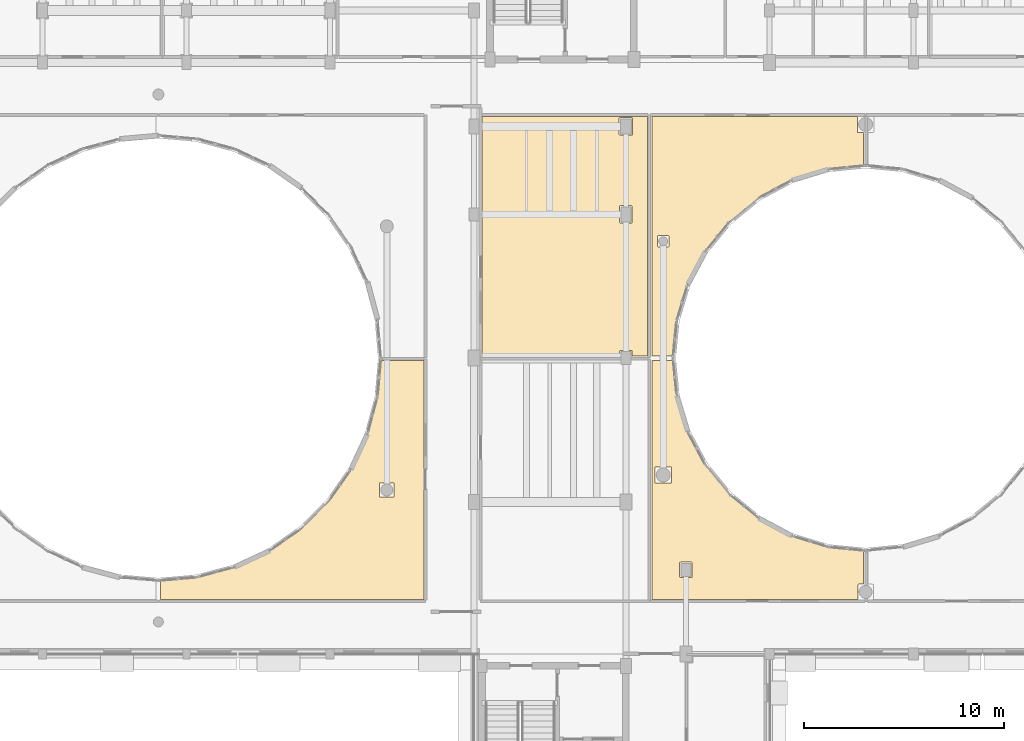
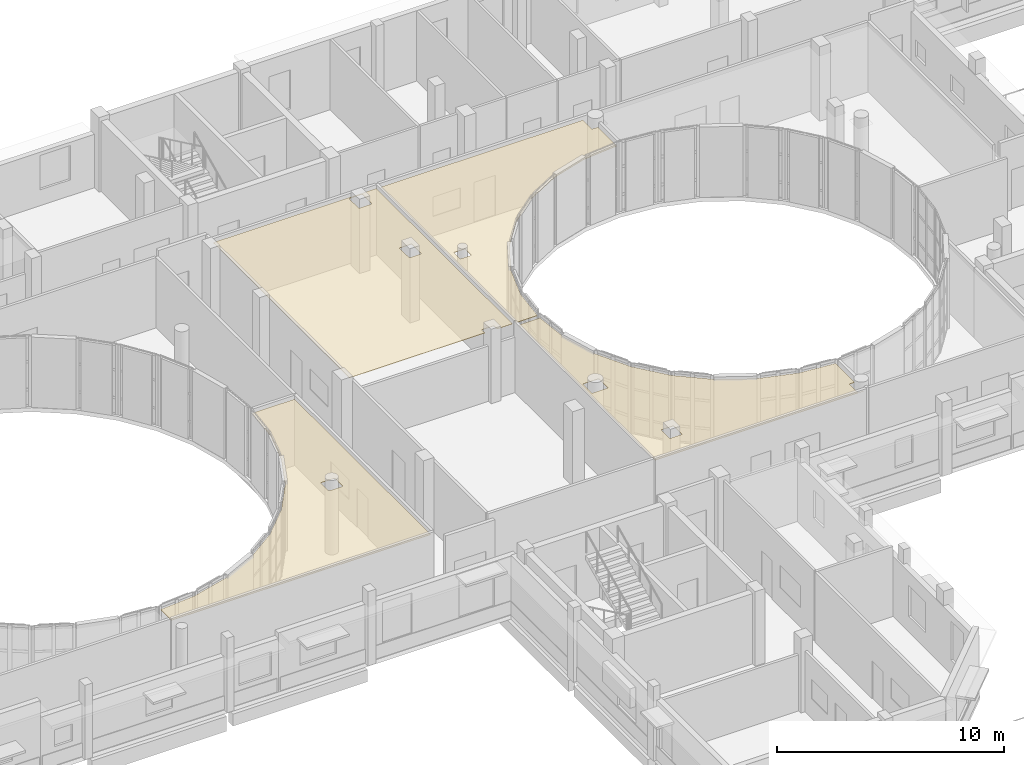
# One storey, part 85 of 92: 4 coverings.
"""IFC4 building model written with IfcOpenShell, lengths in metres."""

from ifc_helpers import new_model, si_unit, direction, frame, origin, place, context, subcontext, project, spatial, polyline, outline, extrude, material, layer, layer_set, type_object, element, save


model = new_model("IFC4")

# Units and contexts
model_context = context("Model", 3, precision=1e-05, world=origin(), true_north=direction((0.0, 1.0)))
body_context = subcontext(model_context, "Body", "Model", "MODEL_VIEW")
ifc_project = project(units=[si_unit("LENGTHUNIT", "METRE"), si_unit("AREAUNIT", "SQUARE_METRE"), si_unit("VOLUMEUNIT", "CUBIC_METRE"), si_unit("PLANEANGLEUNIT", "RADIAN"), si_unit("MASSUNIT", "GRAM", prefix="KILO")], contexts=[model_context])

# Site, building, storey
site_placement = place(None, origin())
site = spatial("IfcSite", under=ifc_project, at=site_placement, CompositionType="ELEMENT")
building_placement = place(site_placement, origin())
building = spatial("IfcBuilding", under=site, at=building_placement, Name="Kelanivale Promenade Academy", CompositionType="ELEMENT")
storey_placement = place(building_placement, frame((0.0, 0.0, 8.199951171875)))
storey = spatial("IfcBuildingStorey", under=building, at=storey_placement, Name="L02", CompositionType="ELEMENT", Elevation=8.199951171875)

# Coverings
ifc_material = material(Name="Acoustic mineral-fibre ceiling tile 25 mm", Category="gypsum")
ifc_layer = layer(ifc_material, 0.02490234375)
ifc_layer_set = layer_set([ifc_layer], Name="Acoustic mineral-fibre ceiling tile 25 mm")
covering_type = type_object("IfcCoveringType", Name="COV-CLG1 Acoustic mineral-fibre ceiling tile ", PredefinedType="CEILING", material=ifc_layer_set)
covering_1_placement = place(storey_placement, frame((0.0, 0.0, 3.550048828125)))
element("IfcCovering", 1, at=covering_1_placement, inside=storey, type_object=covering_type, Name="Mathematics Classroom acoustic suspended ceiling", PredefinedType="CEILING", context=body_context, shape_type="SweptSolid", body=[
    extrude(outline(polyline([(79.610107421875, 68.889892578125), (79.610107421875, 56.909912109375), (86.489990234375, 56.909912109375), (86.489990234375, 57.14501953125), (86.489990234375, 57.14892578125), (86.490966796875, 57.153076171875), (86.491943359375, 57.156982421875), (86.492919921875, 57.159912109375), (86.4951171875, 57.1640625), (86.4970703125, 57.1669921875), (86.4990234375, 57.169921875), (86.501953125, 57.173095703125), (86.5048828125, 57.176025390625), (86.508056640625, 57.177978515625), (86.510986328125, 57.179931640625), (86.514892578125, 57.181884765625), (86.51806640625, 57.18310546875), (86.52197265625, 57.18408203125), (86.52587890625, 57.18505859375), (86.530029296875, 57.18505859375), (87.070068359375, 57.18505859375), (87.073974609375, 57.18505859375), (87.077880859375, 57.18408203125), (87.08203125, 57.18310546875), (87.0849609375, 57.181884765625), (87.089111328125, 57.179931640625), (87.092041015625, 57.177978515625), (87.094970703125, 57.176025390625), (87.097900390625, 57.173095703125), (87.10107421875, 57.169921875), (87.10302734375, 57.1669921875), (87.10498046875, 57.1640625), (87.10693359375, 57.159912109375), (87.10791015625, 57.156982421875), (87.10888671875, 57.153076171875), (87.110107421875, 57.14892578125), (87.110107421875, 57.14501953125), (87.110107421875, 56.909912109375), (87.889892578125, 56.909912109375), (87.889892578125, 68.889892578125), (79.610107421875, 68.889892578125)]), holes=[polyline([(87.135009765625, 68.0048828125), (87.135009765625, 68.0009765625), (87.134033203125, 67.9970703125), (87.133056640625, 67.992919921875), (87.132080078125, 67.989990234375), (87.1298828125, 67.986083984375), (87.1279296875, 67.98291015625), (87.1259765625, 67.97998046875), (87.123046875, 67.97705078125), (87.1201171875, 67.97412109375), (87.116943359375, 67.971923828125), (87.114013671875, 67.969970703125), (87.110107421875, 67.968017578125), (87.10693359375, 67.967041015625), (87.10302734375, 67.966064453125), (87.09912109375, 67.965087890625), (87.094970703125, 67.965087890625), (86.5048828125, 67.965087890625), (86.5009765625, 67.965087890625), (86.4970703125, 67.966064453125), (86.492919921875, 67.967041015625), (86.489990234375, 67.968017578125), (86.486083984375, 67.969970703125), (86.48291015625, 67.971923828125), (86.47998046875, 67.97412109375), (86.47705078125, 67.97705078125), (86.47412109375, 67.97998046875), (86.471923828125, 67.98291015625), (86.469970703125, 67.986083984375), (86.468017578125, 67.989990234375), (86.467041015625, 67.992919921875), (86.466064453125, 67.9970703125), (86.465087890625, 68.0009765625), (86.465087890625, 68.0048828125), (86.465087890625, 68.794921875), (86.465087890625, 68.799072265625), (86.466064453125, 68.802978515625), (86.467041015625, 68.806884765625), (86.468017578125, 68.81005859375), (86.469970703125, 68.81396484375), (86.471923828125, 68.81689453125), (86.47412109375, 68.820068359375), (86.47705078125, 68.822998046875), (86.47998046875, 68.825927734375), (86.48291015625, 68.827880859375), (86.486083984375, 68.830078125), (86.489990234375, 68.83203125), (86.492919921875, 68.8330078125), (86.4970703125, 68.833984375), (86.5009765625, 68.8349609375), (86.5048828125, 68.8349609375), (87.094970703125, 68.8349609375), (87.09912109375, 68.8349609375), (87.10302734375, 68.833984375), (87.10693359375, 68.8330078125), (87.110107421875, 68.83203125), (87.114013671875, 68.830078125), (87.116943359375, 68.827880859375), (87.1201171875, 68.825927734375), (87.123046875, 68.822998046875), (87.1259765625, 68.820068359375), (87.1279296875, 68.81689453125), (87.1298828125, 68.81396484375), (87.132080078125, 68.81005859375), (87.133056640625, 68.806884765625), (87.134033203125, 68.802978515625), (87.135009765625, 68.799072265625), (87.135009765625, 68.794921875), (87.135009765625, 68.0048828125)]), polyline([(87.070068359375, 64.43505859375), (87.073974609375, 64.43505859375), (87.077880859375, 64.43408203125), (87.08203125, 64.43310546875), (87.0849609375, 64.431884765625), (87.089111328125, 64.429931640625), (87.092041015625, 64.427978515625), (87.094970703125, 64.426025390625), (87.097900390625, 64.423095703125), (87.10107421875, 64.419921875), (87.10302734375, 64.4169921875), (87.10498046875, 64.4140625), (87.10693359375, 64.409912109375), (87.10791015625, 64.406982421875), (87.10888671875, 64.403076171875), (87.110107421875, 64.39892578125), (87.110107421875, 64.39501953125), (87.110107421875, 63.60498046875), (87.110107421875, 63.60107421875), (87.10888671875, 63.596923828125), (87.10791015625, 63.593017578125), (87.10693359375, 63.590087890625), (87.10498046875, 63.5859375), (87.10302734375, 63.5830078125), (87.10107421875, 63.580078125), (87.097900390625, 63.576904296875), (87.094970703125, 63.573974609375), (87.092041015625, 63.572021484375), (87.089111328125, 63.570068359375), (87.0849609375, 63.568115234375), (87.08203125, 63.56689453125), (87.077880859375, 63.56591796875), (87.073974609375, 63.56494140625), (87.070068359375, 63.56494140625), (86.530029296875, 63.56494140625), (86.52587890625, 63.56494140625), (86.52197265625, 63.56591796875), (86.51806640625, 63.56689453125), (86.514892578125, 63.568115234375), (86.510986328125, 63.570068359375), (86.508056640625, 63.572021484375), (86.5048828125, 63.573974609375), (86.501953125, 63.576904296875), (86.4990234375, 63.580078125), (86.4970703125, 63.5830078125), (86.4951171875, 63.5859375), (86.492919921875, 63.590087890625), (86.491943359375, 63.593017578125), (86.490966796875, 63.596923828125), (86.489990234375, 63.60107421875), (86.489990234375, 63.60498046875), (86.489990234375, 64.39501953125), (86.489990234375, 64.39892578125), (86.490966796875, 64.403076171875), (86.491943359375, 64.406982421875), (86.492919921875, 64.409912109375), (86.4951171875, 64.4140625), (86.4970703125, 64.4169921875), (86.4990234375, 64.419921875), (86.501953125, 64.423095703125), (86.5048828125, 64.426025390625), (86.508056640625, 64.427978515625), (86.510986328125, 64.429931640625), (86.514892578125, 64.431884765625), (86.51806640625, 64.43310546875), (86.52197265625, 64.43408203125), (86.52587890625, 64.43505859375), (86.530029296875, 64.43505859375), (87.070068359375, 64.43505859375)])]), origin(), (0.0, 0.0, 1.0), 0.02490234375),
])
covering_2_placement = place(storey_placement, frame((0.0, 0.0, 3.550048828125)))
element("IfcCovering", 2, at=covering_2_placement, inside=storey, type_object=covering_type, Name="Mathematics Classroom Courtyard South acoustic suspended ceiling", PredefinedType="CEILING", context=body_context, shape_type="SweptSolid", body=[
    extrude(outline(polyline([(71.931884765625, 49.623046875), (71.928955078125, 49.618896484375), (70.5810546875, 48.27099609375), (70.576904296875, 48.26806640625), (70.569091796875, 48.260986328125), (70.56103515625, 48.25390625), (70.553955078125, 48.248046875), (68.989990234375, 47.153076171875), (68.98291015625, 47.14892578125), (68.97412109375, 47.14404296875), (68.965087890625, 47.138916015625), (68.9599609375, 47.136962890625), (67.22998046875, 46.3291015625), (67.22607421875, 46.326904296875), (67.216064453125, 46.322998046875), (67.208984375, 46.320068359375), (67.198974609375, 46.31689453125), (67.197021484375, 46.31689453125), (65.35400390625, 45.823974609375), (65.344970703125, 45.821044921875), (65.337890625, 45.820068359375), (65.330078125, 45.818115234375), (65.320068359375, 45.81689453125), (65.319091796875, 45.81689453125), (63.510009765625, 45.658935546875), (63.510009765625, 44.7099609375), (76.68994140625, 44.7099609375), (76.68994140625, 56.68994140625), (74.541015625, 56.68994140625), (74.383056640625, 54.881103515625), (74.383056640625, 54.8798828125), (74.382080078125, 54.8701171875), (74.3798828125, 54.862060546875), (74.37890625, 54.85498046875), (74.3759765625, 54.845947265625), (73.883056640625, 53.0029296875), (73.883056640625, 53.0009765625), (73.8798828125, 52.990966796875), (73.876953125, 52.98388671875), (73.873046875, 52.97412109375), (73.87109375, 52.969970703125), (73.06298828125, 51.239990234375), (73.06103515625, 51.235107421875), (73.055908203125, 51.22607421875), (73.051025390625, 51.217041015625), (73.047119140625, 51.2099609375), (71.951904296875, 49.64599609375), (71.946044921875, 49.638916015625), (71.93896484375, 49.631103515625), (71.931884765625, 49.623046875)]), holes=[polyline([(75.19189453125, 49.8798828125), (75.19189453125, 49.8759765625), (75.19091796875, 49.8720703125), (75.18994140625, 49.867919921875), (75.18896484375, 49.864990234375), (75.18701171875, 49.861083984375), (75.18505859375, 49.85791015625), (75.18310546875, 49.85498046875), (75.179931640625, 49.85205078125), (75.177001953125, 49.84912109375), (75.174072265625, 49.846923828125), (75.1708984375, 49.844970703125), (75.1669921875, 49.843017578125), (75.1640625, 49.842041015625), (75.159912109375, 49.841064453125), (75.156005859375, 49.840087890625), (75.152099609375, 49.840087890625), (74.511962890625, 49.840087890625), (74.508056640625, 49.840087890625), (74.50390625, 49.841064453125), (74.5, 49.842041015625), (74.4970703125, 49.843017578125), (74.492919921875, 49.844970703125), (74.489990234375, 49.846923828125), (74.487060546875, 49.84912109375), (74.48388671875, 49.85205078125), (74.48095703125, 49.85498046875), (74.47900390625, 49.85791015625), (74.47705078125, 49.861083984375), (74.47509765625, 49.864990234375), (74.47412109375, 49.867919921875), (74.472900390625, 49.8720703125), (74.471923828125, 49.8759765625), (74.471923828125, 49.8798828125), (74.471923828125, 50.52001953125), (74.471923828125, 50.52392578125), (74.472900390625, 50.528076171875), (74.47412109375, 50.531982421875), (74.47509765625, 50.534912109375), (74.47705078125, 50.5390625), (74.47900390625, 50.5419921875), (74.48095703125, 50.544921875), (74.48388671875, 50.548095703125), (74.487060546875, 50.551025390625), (74.489990234375, 50.552978515625), (74.492919921875, 50.554931640625), (74.4970703125, 50.556884765625), (74.5, 50.55810546875), (74.50390625, 50.55908203125), (74.508056640625, 50.56005859375), (74.511962890625, 50.56005859375), (75.152099609375, 50.56005859375), (75.156005859375, 50.56005859375), (75.159912109375, 50.55908203125), (75.1640625, 50.55810546875), (75.1669921875, 50.556884765625), (75.1708984375, 50.554931640625), (75.174072265625, 50.552978515625), (75.177001953125, 50.551025390625), (75.179931640625, 50.548095703125), (75.18310546875, 50.544921875), (75.18505859375, 50.5419921875), (75.18701171875, 50.5390625), (75.18896484375, 50.534912109375), (75.18994140625, 50.531982421875), (75.19091796875, 50.528076171875), (75.19189453125, 50.52392578125), (75.19189453125, 50.52001953125), (75.19189453125, 49.8798828125)])]), origin(), (0.0, 0.0, 1.0), 0.02490234375),
])
covering_3_placement = place(storey_placement, frame((0.0, 0.0, 3.550048828125)))
element("IfcCovering", 3, at=covering_3_placement, inside=storey, type_object=covering_type, Name="Secondary Classroom Courtyard East-South acoustic suspended ceiling", PredefinedType="CEILING", context=body_context, shape_type="SweptSolid", body=[
    extrude(outline(polyline([(96.93701171875, 47.3330078125), (96.931884765625, 47.333984375), (96.919921875, 47.3359375), (96.9189453125, 47.3359375), (96.907958984375, 47.337890625), (96.89892578125, 47.340087890625), (95.1259765625, 47.8779296875), (95.1220703125, 47.8798828125), (95.111083984375, 47.884033203125), (95.10205078125, 47.886962890625), (95.092041015625, 47.89208984375), (95.090087890625, 47.89306640625), (93.455078125, 48.76611328125), (93.451904296875, 48.76806640625), (93.44189453125, 48.77392578125), (93.43408203125, 48.780029296875), (93.425048828125, 48.787109375), (93.423095703125, 48.7880859375), (91.989990234375, 49.962890625), (91.98388671875, 49.968017578125), (91.97607421875, 49.97607421875), (91.968017578125, 49.98388671875), (91.962890625, 49.989990234375), (90.7880859375, 51.423095703125), (90.787109375, 51.425048828125), (90.780029296875, 51.43408203125), (90.77392578125, 51.44189453125), (90.76806640625, 51.451904296875), (90.76611328125, 51.455078125), (89.89306640625, 53.090087890625), (89.89208984375, 53.092041015625), (89.886962890625, 53.10205078125), (89.884033203125, 53.111083984375), (89.8798828125, 53.1220703125), (89.8779296875, 53.1259765625), (89.340087890625, 54.89892578125), (89.337890625, 54.907958984375), (89.3359375, 54.9189453125), (89.3359375, 54.919921875), (89.333984375, 54.931884765625), (89.3330078125, 54.93701171875), (89.160888671875, 56.68994140625), (88.110107421875, 56.68994140625), (88.110107421875, 44.7099609375), (98.68994140625, 44.7099609375), (98.68994140625, 44.715087890625), (98.455078125, 44.715087890625), (98.450927734375, 44.715087890625), (98.447021484375, 44.716064453125), (98.443115234375, 44.717041015625), (98.43994140625, 44.718017578125), (98.43603515625, 44.719970703125), (98.43310546875, 44.721923828125), (98.429931640625, 44.72412109375), (98.427001953125, 44.72705078125), (98.424072265625, 44.72998046875), (98.422119140625, 44.73291015625), (98.419921875, 44.736083984375), (98.41796875, 44.739990234375), (98.4169921875, 44.742919921875), (98.416015625, 44.7470703125), (98.4150390625, 44.7509765625), (98.4150390625, 44.7548828125), (98.4150390625, 45.445068359375), (98.4150390625, 45.448974609375), (98.416015625, 45.452880859375), (98.4169921875, 45.45703125), (98.41796875, 45.4599609375), (98.419921875, 45.464111328125), (98.422119140625, 45.467041015625), (98.424072265625, 45.469970703125), (98.427001953125, 45.472900390625), (98.429931640625, 45.47607421875), (98.43310546875, 45.47802734375), (98.43603515625, 45.47998046875), (98.43994140625, 45.48193359375), (98.443115234375, 45.48291015625), (98.447021484375, 45.48388671875), (98.450927734375, 45.485107421875), (98.455078125, 45.485107421875), (98.68994140625, 45.485107421875), (98.68994140625, 47.160888671875), (96.93701171875, 47.3330078125)]), holes=[polyline([(90.110107421875, 45.85498046875), (90.110107421875, 45.85107421875), (90.10888671875, 45.846923828125), (90.10791015625, 45.843017578125), (90.10693359375, 45.840087890625), (90.10498046875, 45.8359375), (90.10302734375, 45.8330078125), (90.10107421875, 45.830078125), (90.097900390625, 45.826904296875), (90.094970703125, 45.823974609375), (90.092041015625, 45.822021484375), (90.089111328125, 45.820068359375), (90.0849609375, 45.818115234375), (90.08203125, 45.81689453125), (90.077880859375, 45.81591796875), (90.073974609375, 45.81494140625), (90.070068359375, 45.81494140625), (89.530029296875, 45.81494140625), (89.52587890625, 45.81494140625), (89.52197265625, 45.81591796875), (89.51806640625, 45.81689453125), (89.514892578125, 45.818115234375), (89.510986328125, 45.820068359375), (89.508056640625, 45.822021484375), (89.5048828125, 45.823974609375), (89.501953125, 45.826904296875), (89.4990234375, 45.830078125), (89.4970703125, 45.8330078125), (89.4951171875, 45.8359375), (89.492919921875, 45.840087890625), (89.491943359375, 45.843017578125), (89.490966796875, 45.846923828125), (89.489990234375, 45.85107421875), (89.489990234375, 45.85498046875), (89.489990234375, 46.544921875), (89.489990234375, 46.549072265625), (89.490966796875, 46.552978515625), (89.491943359375, 46.556884765625), (89.492919921875, 46.56005859375), (89.4951171875, 46.56396484375), (89.4970703125, 46.56689453125), (89.4990234375, 46.570068359375), (89.501953125, 46.572998046875), (89.5048828125, 46.575927734375), (89.508056640625, 46.577880859375), (89.510986328125, 46.580078125), (89.514892578125, 46.58203125), (89.51806640625, 46.5830078125), (89.52197265625, 46.583984375), (89.52587890625, 46.5849609375), (89.530029296875, 46.5849609375), (90.070068359375, 46.5849609375), (90.073974609375, 46.5849609375), (90.077880859375, 46.583984375), (90.08203125, 46.5830078125), (90.0849609375, 46.58203125), (90.089111328125, 46.580078125), (90.092041015625, 46.577880859375), (90.094970703125, 46.575927734375), (90.097900390625, 46.572998046875), (90.10107421875, 46.570068359375), (90.10302734375, 46.56689453125), (90.10498046875, 46.56396484375), (90.10693359375, 46.56005859375), (90.10791015625, 46.556884765625), (90.10888671875, 46.552978515625), (90.110107421875, 46.549072265625), (90.110107421875, 46.544921875), (90.110107421875, 45.85498046875)]), polyline([(89.077880859375, 50.580078125), (89.077880859375, 50.575927734375), (89.076904296875, 50.572021484375), (89.075927734375, 50.568115234375), (89.074951171875, 50.56494140625), (89.072998046875, 50.56103515625), (89.071044921875, 50.55810546875), (89.069091796875, 50.554931640625), (89.06591796875, 50.552001953125), (89.06298828125, 50.549072265625), (89.06005859375, 50.547119140625), (89.056884765625, 50.544921875), (89.052978515625, 50.54296875), (89.050048828125, 50.5419921875), (89.0458984375, 50.541015625), (89.0419921875, 50.5400390625), (89.0380859375, 50.5400390625), (88.298095703125, 50.5400390625), (88.2939453125, 50.5400390625), (88.2900390625, 50.541015625), (88.285888671875, 50.5419921875), (88.282958984375, 50.54296875), (88.279052734375, 50.544921875), (88.27587890625, 50.547119140625), (88.27294921875, 50.549072265625), (88.27001953125, 50.552001953125), (88.26708984375, 50.554931640625), (88.264892578125, 50.55810546875), (88.262939453125, 50.56103515625), (88.260986328125, 50.56494140625), (88.260009765625, 50.568115234375), (88.259033203125, 50.572021484375), (88.258056640625, 50.575927734375), (88.258056640625, 50.580078125), (88.258056640625, 51.320068359375), (88.258056640625, 51.323974609375), (88.259033203125, 51.327880859375), (88.260009765625, 51.33203125), (88.260986328125, 51.3349609375), (88.262939453125, 51.339111328125), (88.264892578125, 51.342041015625), (88.26708984375, 51.344970703125), (88.27001953125, 51.347900390625), (88.27294921875, 51.35107421875), (88.27587890625, 51.35302734375), (88.279052734375, 51.35498046875), (88.282958984375, 51.35693359375), (88.285888671875, 51.35791015625), (88.2900390625, 51.35888671875), (88.2939453125, 51.360107421875), (88.298095703125, 51.360107421875), (89.0380859375, 51.360107421875), (89.0419921875, 51.360107421875), (89.0458984375, 51.35888671875), (89.050048828125, 51.35791015625), (89.052978515625, 51.35693359375), (89.056884765625, 51.35498046875), (89.06005859375, 51.35302734375), (89.06298828125, 51.35107421875), (89.06591796875, 51.347900390625), (89.069091796875, 51.344970703125), (89.071044921875, 51.342041015625), (89.072998046875, 51.339111328125), (89.074951171875, 51.3349609375), (89.075927734375, 51.33203125), (89.076904296875, 51.327880859375), (89.077880859375, 51.323974609375), (89.077880859375, 51.320068359375), (89.077880859375, 50.580078125)])]), origin(), (0.0, 0.0, 1.0), 0.02490234375),
])
covering_4_placement = place(storey_placement, frame((0.0, 0.0, 3.550048828125)))
element("IfcCovering", 4, at=covering_4_placement, inside=storey, type_object=covering_type, Name="Mathematics Classroom Courtyard East-North acoustic suspended ceiling", PredefinedType="CEILING", context=body_context, shape_type="SweptSolid", body=[
    extrude(outline(polyline([(89.160888671875, 56.909912109375), (89.3330078125, 58.6630859375), (89.333984375, 58.66796875), (89.3359375, 58.679931640625), (89.3359375, 58.680908203125), (89.337890625, 58.69189453125), (89.340087890625, 58.700927734375), (89.8779296875, 60.47412109375), (89.8798828125, 60.47802734375), (89.884033203125, 60.489013671875), (89.886962890625, 60.498046875), (89.89208984375, 60.508056640625), (89.89306640625, 60.510009765625), (90.76611328125, 62.14501953125), (90.76806640625, 62.14794921875), (90.77392578125, 62.157958984375), (90.780029296875, 62.166015625), (90.787109375, 62.175048828125), (90.7880859375, 62.177001953125), (91.962890625, 63.610107421875), (91.968017578125, 63.615966796875), (91.98388671875, 63.632080078125), (91.989990234375, 63.636962890625), (93.423095703125, 64.81201171875), (93.425048828125, 64.81298828125), (93.43408203125, 64.820068359375), (93.44189453125, 64.825927734375), (93.451904296875, 64.83203125), (93.455078125, 64.833984375), (95.090087890625, 65.70703125), (95.092041015625, 65.7080078125), (95.10205078125, 65.712890625), (95.111083984375, 65.716064453125), (95.1220703125, 65.719970703125), (95.1259765625, 65.721923828125), (96.89892578125, 66.260009765625), (96.907958984375, 66.261962890625), (96.9189453125, 66.263916015625), (96.919921875, 66.263916015625), (96.931884765625, 66.26611328125), (96.93701171875, 66.26708984375), (98.68994140625, 66.43896484375), (98.68994140625, 68.090087890625), (98.429931640625, 68.090087890625), (98.426025390625, 68.090087890625), (98.422119140625, 68.091064453125), (98.41796875, 68.092041015625), (98.4150390625, 68.093017578125), (98.410888671875, 68.094970703125), (98.407958984375, 68.096923828125), (98.405029296875, 68.09912109375), (98.402099609375, 68.10205078125), (98.39892578125, 68.10498046875), (98.39697265625, 68.10791015625), (98.39501953125, 68.111083984375), (98.39306640625, 68.114990234375), (98.39208984375, 68.117919921875), (98.39111328125, 68.1220703125), (98.389892578125, 68.1259765625), (98.389892578125, 68.1298828125), (98.389892578125, 68.8701171875), (98.389892578125, 68.8740234375), (98.39111328125, 68.8779296875), (98.39208984375, 68.882080078125), (98.39306640625, 68.885009765625), (98.39501953125, 68.888916015625), (98.39501953125, 68.889892578125), (88.110107421875, 68.889892578125), (88.110107421875, 56.909912109375), (89.160888671875, 56.909912109375)]), holes=[polyline([(88.952880859375, 62.405029296875), (88.952880859375, 62.40087890625), (88.951904296875, 62.39697265625), (88.950927734375, 62.39306640625), (88.949951171875, 62.389892578125), (88.947998046875, 62.385986328125), (88.946044921875, 62.383056640625), (88.944091796875, 62.3798828125), (88.94091796875, 62.376953125), (88.93798828125, 62.3740234375), (88.93505859375, 62.3720703125), (88.931884765625, 62.3701171875), (88.927978515625, 62.367919921875), (88.925048828125, 62.366943359375), (88.9208984375, 62.365966796875), (88.9169921875, 62.364990234375), (88.9130859375, 62.364990234375), (88.423095703125, 62.364990234375), (88.4189453125, 62.364990234375), (88.4150390625, 62.365966796875), (88.410888671875, 62.366943359375), (88.407958984375, 62.367919921875), (88.404052734375, 62.3701171875), (88.40087890625, 62.3720703125), (88.39794921875, 62.3740234375), (88.39501953125, 62.376953125), (88.39208984375, 62.3798828125), (88.389892578125, 62.383056640625), (88.387939453125, 62.385986328125), (88.385986328125, 62.389892578125), (88.385009765625, 62.39306640625), (88.384033203125, 62.39697265625), (88.383056640625, 62.40087890625), (88.383056640625, 62.405029296875), (88.383056640625, 62.89501953125), (88.383056640625, 62.89892578125), (88.384033203125, 62.903076171875), (88.385009765625, 62.906982421875), (88.385986328125, 62.909912109375), (88.387939453125, 62.9140625), (88.389892578125, 62.9169921875), (88.39208984375, 62.919921875), (88.39501953125, 62.923095703125), (88.39794921875, 62.926025390625), (88.40087890625, 62.927978515625), (88.404052734375, 62.929931640625), (88.407958984375, 62.931884765625), (88.410888671875, 62.93310546875), (88.4150390625, 62.93408203125), (88.4189453125, 62.93505859375), (88.423095703125, 62.93505859375), (88.9130859375, 62.93505859375), (88.9169921875, 62.93505859375), (88.9208984375, 62.93408203125), (88.925048828125, 62.93310546875), (88.927978515625, 62.931884765625), (88.931884765625, 62.929931640625), (88.93505859375, 62.927978515625), (88.93798828125, 62.926025390625), (88.94091796875, 62.923095703125), (88.944091796875, 62.919921875), (88.946044921875, 62.9169921875), (88.947998046875, 62.9140625), (88.949951171875, 62.909912109375), (88.950927734375, 62.906982421875), (88.951904296875, 62.903076171875), (88.952880859375, 62.89892578125), (88.952880859375, 62.89501953125), (88.952880859375, 62.405029296875)])]), origin(), (0.0, 0.0, 1.0), 0.02490234375),
])

save(model, "model.ifc")
